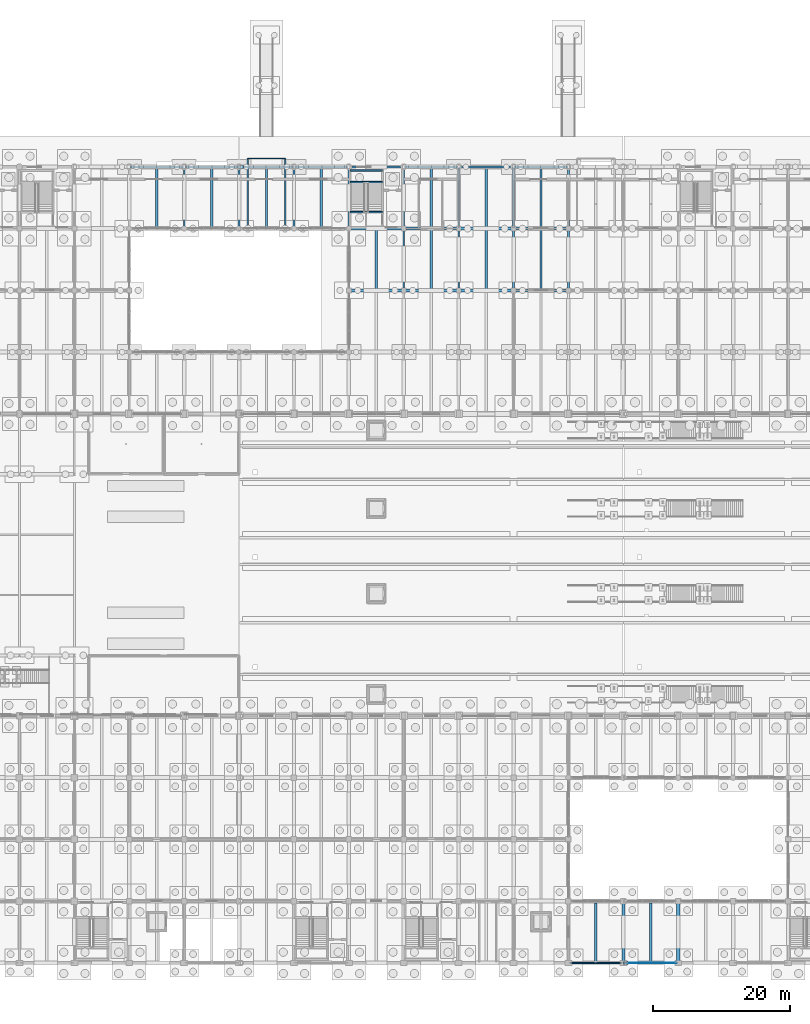
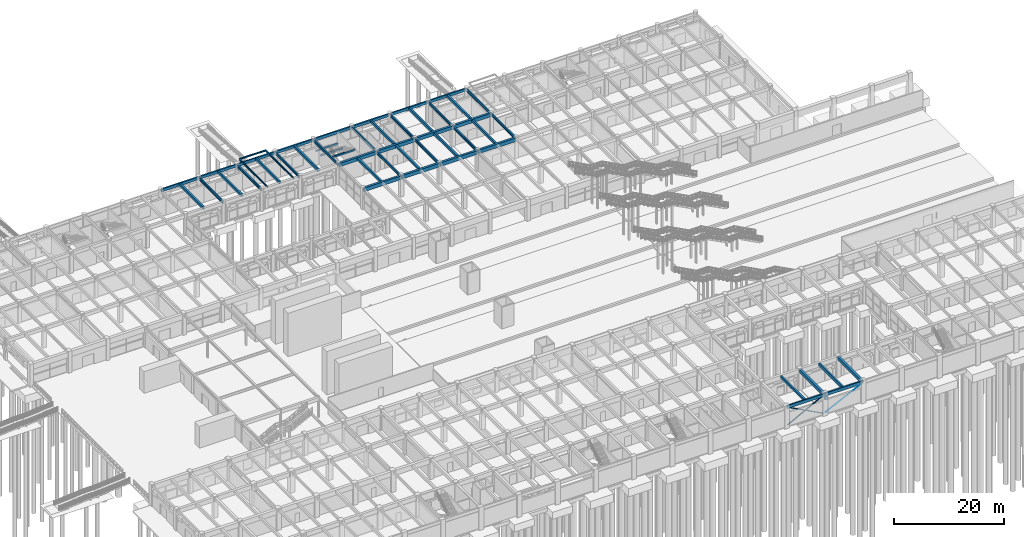
# One storey, part 69 of 147: 53 beams, 4 members.
"""IFC4 building model written with IfcOpenShell, lengths in metres."""

from ifc_helpers import new_model, si_unit, direction, frame, origin, origin_2d, place, context, subcontext, project, spatial, rectangle, circle, hollow_circle, i_section, extrude, material, material_profile, profile_set, type_object, element, save


model = new_model("IFC4")

# Units and contexts
model_context = context("Model", 3, precision=1e-05, world=origin(), true_north=direction((0.0, 1.0)))
body_context = subcontext(model_context, "Body", "Model", "MODEL_VIEW")
ifc_project = project(units=[si_unit("LENGTHUNIT", "METRE"), si_unit("AREAUNIT", "SQUARE_METRE"), si_unit("VOLUMEUNIT", "CUBIC_METRE"), si_unit("PLANEANGLEUNIT", "RADIAN"), si_unit("MASSUNIT", "GRAM", prefix="KILO")], contexts=[model_context])

# Site, building, storey
site_placement = place(None, origin())
site = spatial("IfcSite", under=ifc_project, at=site_placement, CompositionType="ELEMENT")
building_placement = place(site_placement, origin())
building = spatial("IfcBuilding", under=site, at=building_placement, Name="Varnabhumi Central Station", CompositionType="ELEMENT")
storey_placement = place(building_placement, origin())
storey = spatial("IfcBuildingStorey", under=building, at=storey_placement, Name="L00", CompositionType="ELEMENT", Elevation=0.0)

# Beams
ifc_material_1 = material(Name="Structural steel E350", Category="steel")
ifc_material_profile_1 = material_profile(ifc_material_1, i_section(OverallWidth=0.125, OverallDepth=0.25, WebThickness=0.0068359375, FlangeThickness=0.012451171875, FilletRadius=0.012939453125, at=origin_2d()), Name="Structural steel E350", Category="steel")
ifc_profile_set_1 = profile_set([ifc_material_profile_1], Name="Structural steel E350")
beam_type_1 = type_object("IfcBeamType", Name="BM-PUR-ISMB250", PredefinedType="JOIST", material=ifc_profile_set_1)
beam_1_placement = place(storey_placement, frame((65.25, 117.219970703125, 4.425048828125), z_axis=(1.0, 0.0, 0.0), x_axis=(0.0, 1.0, 0.0)))
element("IfcBeam", 1, at=beam_1_placement, inside=storey, type_object=beam_type_1, Name="Spanish Balcony Fascia Beam L01-7", PredefinedType="JOIST", context=body_context, shape_type="SweptSolid", body=[
    extrude(i_section(OverallWidth=0.125, OverallDepth=0.25, WebThickness=0.0068359375, FlangeThickness=0.012451171875, FilletRadius=0.012939453125, at=origin_2d()), origin(), (0.0, 0.0, 1.0), 5.5),
])
ifc_material_2 = material(Name="Concrete M35", Category="concrete")
ifc_material_profile_2 = material_profile(ifc_material_2, rectangle(XDim=0.25, YDim=0.35009765625, at=origin_2d()), Name="Concrete M35", Category="concrete")
ifc_profile_set_2 = profile_set([ifc_material_profile_2], Name="Concrete M35")
beam_type_2 = type_object("IfcBeamType", Name="BM-RC-250x350", PredefinedType="LINTEL", material=ifc_profile_set_2)
for number, where, z_axis, x_axis, name in (
    (2, (80.179931640625, 113.794921875, 2.044921875), (1.0, 0.0, 0.0), (0.0, 1.0, 0.0), "ST-N2 L00 Half Landing Support Beam 1"),
    (3, (80.179931640625, 115.4599609375, 2.044921875), (1.0, 0.0, 0.0), (0.0, 1.0, 0.0), "ST-N2 L00 Half Landing Support Beam 2"),
    (4, (80.179931640625, 109.419921875, 4.375), (1.0, 0.0, 0.0), (0.0, 1.0, 0.0), "ST-N2 L00 Floor Opening Trimmer Beam"),
):
    element("IfcBeam", number, at=place(storey_placement, frame(where, z_axis=z_axis, x_axis=x_axis)), inside=storey, type_object=beam_type_2, Name=name, PredefinedType="LINTEL", context=body_context, shape_type="SweptSolid", body=[
        extrude(rectangle(XDim=0.25, YDim=0.35009765625, at=origin_2d()), origin(), (0.0, 0.0, 1.0), 4.719970703125),
    ])
ifc_material_3 = material(Name="Concrete M40", Category="concrete")
ifc_material_profile_3 = material_profile(ifc_material_3, rectangle(XDim=0.300048828125, YDim=0.60009765625, at=origin_2d()), Name="Concrete M40", Category="concrete")
ifc_profile_set_3 = profile_set([ifc_material_profile_3], Name="Concrete M40")
beam_type_3 = type_object("IfcBeamType", Name="BM-RC-300x600", PredefinedType="SPANDREL", material=ifc_profile_set_3)
for number, where, z_axis, x_axis, name in (
    (5, (48.10009765625, 116.0, 4.25), (1.0, 0.0, 0.0), (0.0, 1.0, 0.0), "Beam L00-P:7-8"),
    (6, (56.10009765625, 116.0, 4.25), (1.0, 0.0, 0.0), (0.0, 1.0, 0.0), "Beam L00-P:8-9"),
    (7, (64.10009765625, 116.0, 4.25), (1.0, 0.0, 0.0), (0.0, 1.0, 0.0), "Beam L00-P:9-10"),
    (8, (72.10009765625, 116.0, 4.25), (1.0, 0.0, 0.0), (0.0, 1.0, 0.0), "Beam L00-P:10-11"),
    (9, (80.10009765625, 116.0, 4.25), (1.0, 0.0, 0.0), (0.0, 1.0, 0.0), "Beam L00-P:11-12"),
    (10, (88.10009765625, 116.0, 4.25), (1.0, 0.0, 0.0), (0.0, 1.0, 0.0), "Beam L00-P:12-13"),
    (11, (96.10009765625, 116.0, 4.25), (1.0, 0.0, 0.0), (0.0, 1.0, 0.0), "Beam L00-P:13-14"),
    (12, (104.10009765625, 116.0, 4.25), (1.0, 0.0, 0.0), (0.0, 1.0, 0.0), "Beam L00-P:14-15"),
):
    element("IfcBeam", number, at=place(storey_placement, frame(where, z_axis=z_axis, x_axis=x_axis)), inside=storey, type_object=beam_type_3, Name=name, PredefinedType="SPANDREL", context=body_context, shape_type="SweptSolid", body=[
        extrude(rectangle(XDim=0.300048828125, YDim=0.60009765625, at=origin_2d()), origin(), (0.0, 0.0, 1.0), 7.7998046875),
    ])
ifc_material_profile_4 = material_profile(ifc_material_3, rectangle(XDim=0.300048828125, YDim=0.64990234375, at=origin_2d()), Name="Concrete M40", Category="concrete")
ifc_profile_set_4 = profile_set([ifc_material_profile_4], Name="Concrete M40")
beam_type_4 = type_object("IfcBeamType", Name="BM-RC-300x650", PredefinedType="SPANDREL", material=ifc_profile_set_4)
for number, where, z_axis, x_axis, name in (
    (13, (112.10009765625, 0.0, 4.22509765625), (1.0, 0.0, 0.0), (0.0, 1.0, 0.0), "Beam L00-A:15-16"),
    (14, (120.10009765625, 0.0, 4.22509765625), (1.0, 0.0, 0.0), (0.0, 1.0, 0.0), "Beam L00-A:16-17"),
):
    element("IfcBeam", number, at=place(storey_placement, frame(where, z_axis=z_axis, x_axis=x_axis)), inside=storey, type_object=beam_type_4, Name=name, PredefinedType="SPANDREL", context=body_context, shape_type="SweptSolid", body=[
        extrude(rectangle(XDim=0.300048828125, YDim=0.64990234375, at=origin_2d()), origin(), (0.0, 0.0, 1.0), 7.7998046875),
    ])
ifc_material_profile_5 = material_profile(ifc_material_3, rectangle(XDim=0.35009765625, YDim=0.5, at=origin_2d()), Name="Concrete M40", Category="concrete")
ifc_profile_set_5 = profile_set([ifc_material_profile_5], Name="Concrete M40")
beam_type_5 = type_object("IfcBeamType", Name="BM-RC-350x500", PredefinedType="JOIST", material=ifc_profile_set_5)
beam_2_placement = place(storey_placement, frame((116.0, 0.14990234375, 4.300048828125), z_axis=(0.0, 1.0, 0.0), x_axis=(-1.0, 0.0, 0.0)))
element("IfcBeam", 15, at=beam_2_placement, inside=storey, type_object=beam_type_5, Name="Secondary Joist L00-15/16:A-B", PredefinedType="JOIST", context=body_context, shape_type="SweptSolid", body=[
    extrude(rectangle(XDim=0.35009765625, YDim=0.5, at=origin_2d()), origin(), (0.0, 0.0, 1.0), 8.60009765625),
])
beam_3_placement = place(storey_placement, frame((92.0, 98.22509765625, 4.300048828125), z_axis=(0.0, 1.0, 0.0), x_axis=(-1.0, 0.0, 0.0)))
element("IfcBeam", 16, at=beam_3_placement, inside=storey, type_object=beam_type_5, Name="Secondary Joist L00-12/13:M-N", PredefinedType="JOIST", context=body_context, shape_type="SweptSolid", body=[
    extrude(rectangle(XDim=0.35009765625, YDim=0.5, at=origin_2d()), origin(), (0.0, 0.0, 1.0), 8.5498046875),
])
for number, where, z_axis, x_axis, name in (
    (17, (68.0, 107.22509765625, 4.300048828125), (0.0, 1.0, 0.0), (-1.0, 0.0, 0.0), "Secondary Joist L00-9/10:N-P"),
    (18, (92.0, 107.22509765625, 4.300048828125), (0.0, 1.0, 0.0), (-1.0, 0.0, 0.0), "Secondary Joist L00-12/13:N-P"),
):
    element("IfcBeam", number, at=place(storey_placement, frame(where, z_axis=z_axis, x_axis=x_axis)), inside=storey, type_object=beam_type_5, Name=name, PredefinedType="JOIST", context=body_context, shape_type="SweptSolid", body=[
        extrude(rectangle(XDim=0.35009765625, YDim=0.5, at=origin_2d()), origin(), (0.0, 0.0, 1.0), 8.625),
    ])
ifc_material_profile_6 = material_profile(ifc_material_3, rectangle(XDim=0.35009765625, YDim=0.550048828125, at=origin_2d()), Name="Concrete M40", Category="concrete")
ifc_profile_set_6 = profile_set([ifc_material_profile_6], Name="Concrete M40")
beam_type_6 = type_object("IfcBeamType", Name="BM-RC-350x550", PredefinedType="JOIST", material=ifc_profile_set_6)
for number, where, z_axis, x_axis, name in (
    (19, (84.0, 98.22509765625, 4.27490234375), (0.0, 1.0, 0.0), (-1.0, 0.0, 0.0), "Secondary Joist L00-11/12:M-N"),
    (20, (108.0, 98.22509765625, 4.27490234375), (0.0, 1.0, 0.0), (-1.0, 0.0, 0.0), "Secondary Joist L00-14/15:M-N"),
):
    element("IfcBeam", number, at=place(storey_placement, frame(where, z_axis=z_axis, x_axis=x_axis)), inside=storey, type_object=beam_type_6, Name=name, PredefinedType="JOIST", context=body_context, shape_type="SweptSolid", body=[
        extrude(rectangle(XDim=0.35009765625, YDim=0.550048828125, at=origin_2d()), origin(), (0.0, 0.0, 1.0), 8.5498046875),
    ])
for number, where, z_axis, x_axis, name in (
    (21, (60.0, 107.22509765625, 4.27490234375), (0.0, 1.0, 0.0), (-1.0, 0.0, 0.0), "Secondary Joist L00-8/9:N-P"),
    (22, (108.0, 107.22509765625, 4.27490234375), (0.0, 1.0, 0.0), (-1.0, 0.0, 0.0), "Secondary Joist L00-14/15:N-P"),
):
    element("IfcBeam", number, at=place(storey_placement, frame(where, z_axis=z_axis, x_axis=x_axis)), inside=storey, type_object=beam_type_6, Name=name, PredefinedType="JOIST", context=body_context, shape_type="SweptSolid", body=[
        extrude(rectangle(XDim=0.35009765625, YDim=0.550048828125, at=origin_2d()), origin(), (0.0, 0.0, 1.0), 8.625),
    ])
ifc_material_profile_7 = material_profile(ifc_material_3, rectangle(XDim=0.449951171875, YDim=0.699951171875, at=origin_2d()), Name="Concrete M40", Category="concrete")
ifc_profile_set_7 = profile_set([ifc_material_profile_7], Name="Concrete M40")
beam_type_7 = type_object("IfcBeamType", Name="BM-RC-450x700", PredefinedType="BEAM", material=ifc_profile_set_7)
for number, where, z_axis, x_axis, name in (
    (23, (120.0, 0.10009765625, 4.199951171875), (0.0, 1.0, 0.0), (-1.0, 0.0, 0.0), "Beam L00-16:A-B"),
    (24, (128.0, 0.10009765625, 4.199951171875), (0.0, 1.0, 0.0), (-1.0, 0.0, 0.0), "Beam L00-17:A-B"),
):
    element("IfcBeam", number, at=place(storey_placement, frame(where, z_axis=z_axis, x_axis=x_axis)), inside=storey, type_object=beam_type_7, Name=name, PredefinedType="BEAM", context=body_context, shape_type="SweptSolid", body=[
        extrude(rectangle(XDim=0.449951171875, YDim=0.699951171875, at=origin_2d()), origin(), (0.0, 0.0, 1.0), 8.7998046875),
    ])
ifc_material_profile_8 = material_profile(ifc_material_3, rectangle(XDim=0.449951171875, YDim=0.75, at=origin_2d()), Name="Concrete M40", Category="concrete")
ifc_profile_set_8 = profile_set([ifc_material_profile_8], Name="Concrete M40")
beam_type_8 = type_object("IfcBeamType", Name="BM-RC-450x750", PredefinedType="BEAM", material=ifc_profile_set_8)
beam_4_placement = place(storey_placement, frame((64.0, 116.0, 3.4951171875), z_axis=(1.0, 0.0, 0.0), x_axis=(0.0, 1.0, 0.0)))
element("IfcBeam", 25, at=beam_4_placement, inside=storey, type_object=beam_type_8, Name="Movement Joint 650mm Corbel Seat L00-P-9", PredefinedType="BEAM", context=body_context, shape_type="SweptSolid", body=[
    extrude(rectangle(XDim=0.449951171875, YDim=0.75, at=origin_2d()), origin(), (0.0, 0.0, 1.0), 0.64990234375),
])
for number, where, z_axis, x_axis, name in (
    (26, (80.10009765625, 107.0, 4.175048828125), (1.0, 0.0, 0.0), (0.0, 1.0, 0.0), "Beam L00-N:11-12"),
    (27, (88.10009765625, 107.0, 4.175048828125), (1.0, 0.0, 0.0), (0.0, 1.0, 0.0), "Beam L00-N:12-13"),
    (28, (96.10009765625, 107.0, 4.175048828125), (1.0, 0.0, 0.0), (0.0, 1.0, 0.0), "Beam L00-N:13-14"),
    (29, (104.10009765625, 107.0, 4.175048828125), (1.0, 0.0, 0.0), (0.0, 1.0, 0.0), "Beam L00-N:14-15"),
):
    element("IfcBeam", number, at=place(storey_placement, frame(where, z_axis=z_axis, x_axis=x_axis)), inside=storey, type_object=beam_type_8, Name=name, PredefinedType="BEAM", context=body_context, shape_type="SweptSolid", body=[
        extrude(rectangle(XDim=0.449951171875, YDim=0.75, at=origin_2d()), origin(), (0.0, 0.0, 1.0), 7.7998046875),
    ])
beam_5_placement = place(storey_placement, frame((120.0, 0.0, 3.445068359375), z_axis=(1.0, 0.0, 0.0), x_axis=(0.0, 1.0, 0.0)))
element("IfcBeam", 30, at=beam_5_placement, inside=storey, type_object=beam_type_8, Name="Movement Joint 650mm Corbel Seat L00-A-16", PredefinedType="BEAM", context=body_context, shape_type="SweptSolid", body=[
    extrude(rectangle(XDim=0.449951171875, YDim=0.75, at=origin_2d()), origin(), (0.0, 0.0, 1.0), 0.64990234375),
])
ifc_material_profile_9 = material_profile(ifc_material_3, rectangle(XDim=0.35009765625, YDim=0.60009765625, at=origin_2d()), Name="Concrete M40", Category="concrete")
ifc_profile_set_9 = profile_set([ifc_material_profile_9], Name="Concrete M40")
beam_type_9 = type_object("IfcBeamType", Name="BM-RC-600x350", PredefinedType="JOIST", material=ifc_profile_set_9)
beam_6_placement = place(storey_placement, frame((124.0, 0.14990234375, 4.25), z_axis=(0.0, 1.0, 0.0), x_axis=(-1.0, 0.0, 0.0)))
element("IfcBeam", 31, at=beam_6_placement, inside=storey, type_object=beam_type_9, Name="Secondary Joist L00-16/17:A-B", PredefinedType="JOIST", context=body_context, shape_type="SweptSolid", body=[
    extrude(rectangle(XDim=0.35009765625, YDim=0.60009765625, at=origin_2d()), origin(), (0.0, 0.0, 1.0), 8.60009765625),
])
beam_7_placement = place(storey_placement, frame((100.0, 98.22509765625, 4.25), z_axis=(0.0, 1.0, 0.0), x_axis=(-1.0, 0.0, 0.0)))
element("IfcBeam", 32, at=beam_7_placement, inside=storey, type_object=beam_type_9, Name="Secondary Joist L00-13/14:M-N", PredefinedType="JOIST", context=body_context, shape_type="SweptSolid", body=[
    extrude(rectangle(XDim=0.35009765625, YDim=0.60009765625, at=origin_2d()), origin(), (0.0, 0.0, 1.0), 8.5498046875),
])
for number, where, z_axis, x_axis, name in (
    (33, (52.0, 107.22509765625, 4.25), (0.0, 1.0, 0.0), (-1.0, 0.0, 0.0), "Secondary Joist L00-7/8:N-P"),
    (34, (76.0, 107.22509765625, 4.25), (0.0, 1.0, 0.0), (-1.0, 0.0, 0.0), "Secondary Joist L00-10/11:N-P"),
    (35, (100.0, 107.22509765625, 4.25), (0.0, 1.0, 0.0), (-1.0, 0.0, 0.0), "Secondary Joist L00-13/14:N-P"),
):
    element("IfcBeam", number, at=place(storey_placement, frame(where, z_axis=z_axis, x_axis=x_axis)), inside=storey, type_object=beam_type_9, Name=name, PredefinedType="JOIST", context=body_context, shape_type="SweptSolid", body=[
        extrude(rectangle(XDim=0.35009765625, YDim=0.60009765625, at=origin_2d()), origin(), (0.0, 0.0, 1.0), 8.625),
    ])
ifc_material_profile_10 = material_profile(ifc_material_3, rectangle(XDim=0.449951171875, YDim=0.800048828125, at=origin_2d()), Name="Concrete M40", Category="concrete")
ifc_profile_set_10 = profile_set([ifc_material_profile_10], Name="Concrete M40")
beam_type_10 = type_object("IfcBeamType", Name="BM-RC-800x450", PredefinedType="BEAM", material=ifc_profile_set_10)
for number, where, z_axis, x_axis, name in (
    (36, (80.10009765625, 98.0, 4.14990234375), (1.0, 0.0, 0.0), (0.0, 1.0, 0.0), "Beam L00-M:11-12"),
    (37, (88.10009765625, 98.0, 4.14990234375), (1.0, 0.0, 0.0), (0.0, 1.0, 0.0), "Beam L00-M:12-13"),
    (38, (96.10009765625, 98.0, 4.14990234375), (1.0, 0.0, 0.0), (0.0, 1.0, 0.0), "Beam L00-M:13-14"),
    (39, (104.10009765625, 98.0, 4.14990234375), (1.0, 0.0, 0.0), (0.0, 1.0, 0.0), "Beam L00-M:14-15"),
):
    element("IfcBeam", number, at=place(storey_placement, frame(where, z_axis=z_axis, x_axis=x_axis)), inside=storey, type_object=beam_type_10, Name=name, PredefinedType="BEAM", context=body_context, shape_type="SweptSolid", body=[
        extrude(rectangle(XDim=0.449951171875, YDim=0.800048828125, at=origin_2d()), origin(), (0.0, 0.0, 1.0), 7.7998046875),
    ])
ifc_material_profile_11 = material_profile(ifc_material_1, i_section(OverallWidth=0.25, OverallDepth=0.60009765625, WebThickness=0.01171875, FlangeThickness=0.023681640625, FilletRadius=0.01708984375, at=origin_2d()), Name="Structural steel E350", Category="steel")
ifc_profile_set_11 = profile_set([ifc_material_profile_11], Name="Structural steel E350")
beam_type_11 = type_object("IfcBeamType", Name="BM-SEC-ISWB600", PredefinedType="BEAM", material=ifc_profile_set_11)
for number, where, z_axis, x_axis, name in (
    (40, (88.0, 98.10009765625, 4.25), (0.0, 1.0, 0.0), (-1.0, 0.0, 0.0), "Beam L00-12:M-N"),
    (41, (96.0, 98.10009765625, 4.25), (0.0, 1.0, 0.0), (-1.0, 0.0, 0.0), "Beam L00-13:M-N"),
    (42, (104.0, 98.10009765625, 4.25), (0.0, 1.0, 0.0), (-1.0, 0.0, 0.0), "Beam L00-14:M-N"),
    (43, (112.0, 98.10009765625, 4.25), (0.0, 1.0, 0.0), (-1.0, 0.0, 0.0), "Beam L00-15:M-N"),
    (44, (56.0, 107.10009765625, 4.25), (0.0, 1.0, 0.0), (-1.0, 0.0, 0.0), "Beam L00-8:N-P"),
    (45, (64.0, 107.10009765625, 4.25), (0.0, 1.0, 0.0), (-1.0, 0.0, 0.0), "Beam L00-9:N-P"),
    (46, (72.0, 107.10009765625, 4.25), (0.0, 1.0, 0.0), (-1.0, 0.0, 0.0), "Beam L00-10:N-P"),
    (47, (80.0, 107.10009765625, 4.25), (0.0, 1.0, 0.0), (-1.0, 0.0, 0.0), "Beam L00-11:N-P"),
    (48, (88.0, 107.10009765625, 4.25), (0.0, 1.0, 0.0), (-1.0, 0.0, 0.0), "Beam L00-12:N-P"),
    (49, (96.0, 107.10009765625, 4.25), (0.0, 1.0, 0.0), (-1.0, 0.0, 0.0), "Beam L00-13:N-P"),
    (50, (104.0, 107.10009765625, 4.25), (0.0, 1.0, 0.0), (-1.0, 0.0, 0.0), "Beam L00-14:N-P"),
    (51, (112.0, 107.10009765625, 4.25), (0.0, 1.0, 0.0), (-1.0, 0.0, 0.0), "Beam L00-15:N-P"),
):
    element("IfcBeam", number, at=place(storey_placement, frame(where, z_axis=z_axis, x_axis=x_axis)), inside=storey, type_object=beam_type_11, Name=name, PredefinedType="BEAM", context=body_context, shape_type="SweptSolid", body=[
        extrude(i_section(OverallWidth=0.25, OverallDepth=0.60009765625, WebThickness=0.01171875, FlangeThickness=0.023681640625, FilletRadius=0.01708984375, at=origin_2d()), origin(), (0.0, 0.0, 1.0), 8.7998046875),
    ])
ifc_material_profile_12 = material_profile(ifc_material_1, i_section(OverallWidth=0.199951171875, OverallDepth=0.35009765625, WebThickness=0.008056640625, FlangeThickness=0.011474609375, FilletRadius=0.011962890625, at=origin_2d()), Name="Structural steel E350", Category="steel")
ifc_profile_set_12 = profile_set([ifc_material_profile_12], Name="Structural steel E350")
beam_type_12 = type_object("IfcBeamType", Name="BM-STL-ISWB350", PredefinedType="JOIST", material=ifc_profile_set_12)
for number, where, z_axis, x_axis, name in (
    (52, (65.25, 107.0, 4.375), (0.0, 1.0, 0.0), (-1.0, 0.0, 0.0), "Spanish Balcony Cantilever Outrigger L01-7-1"),
    (53, (70.75, 107.0, 4.375), (0.0, 1.0, 0.0), (-1.0, 0.0, 0.0), "Spanish Balcony Cantilever Outrigger L01-7-2"),
):
    element("IfcBeam", number, at=place(storey_placement, frame(where, z_axis=z_axis, x_axis=x_axis)), inside=storey, type_object=beam_type_12, Name=name, PredefinedType="JOIST", context=body_context, shape_type="SweptSolid", body=[
        extrude(i_section(OverallWidth=0.199951171875, OverallDepth=0.35009765625, WebThickness=0.008056640625, FlangeThickness=0.011474609375, FilletRadius=0.011962890625, at=origin_2d()), origin(), (0.0, 0.0, 1.0), 10.25),
    ])

# Members
ifc_material_profile_13 = material_profile(ifc_material_1, hollow_circle(Radius=0.109619140625, WallThickness=0.010009765625, at=origin_2d()), Name="Structural steel E350", Category="steel")
ifc_profile_set_13 = profile_set([ifc_material_profile_13], Name="Structural steel E350")
member_type_1 = type_object("IfcMemberType", Name="MBR-BRACE-CHS219", PredefinedType="BRACE", material=ifc_profile_set_13)
for number, where, z_axis, x_axis, name in (
    (54, (112.320068359375, 0.0, 4.10009765625), (0.883593583311, 0.0, -0.468254609729), (0.0, 1.0, 0.0), "Spine Lateral Split Brace L00-A:15-16B1"),
    (55, (116.141357421875, 0.0, 2.0751953125), (0.883593583311, 0.0, -0.468254609729), (0.0, 1.0, 0.0), "Spine Lateral Split Brace L00-A:15-16B2"),
):
    element("IfcMember", number, at=place(storey_placement, frame(where, z_axis=z_axis, x_axis=x_axis)), inside=storey, type_object=member_type_1, Name=name, PredefinedType="BRACE", context=body_context, shape_type="SweptSolid", body=[
        extrude(hollow_circle(Radius=0.109619140625, WallThickness=0.010009765625, at=origin_2d()), origin(), (0.0, 0.0, 1.0), 4.004638671875),
    ])
ifc_material_profile_14 = material_profile(ifc_material_1, hollow_circle(Radius=0.136474609375, WallThickness=0.011962890625, at=origin_2d()), Name="Structural steel E350", Category="steel")
ifc_profile_set_14 = profile_set([ifc_material_profile_14], Name="Structural steel E350")
member_type_2 = type_object("IfcMemberType", Name="MBR-BRACE-CHS273", PredefinedType="BRACE", material=ifc_profile_set_14)
member_1_placement = place(storey_placement, frame((112.320068359375, 0.0, 0.199951171875), z_axis=(0.88360176282, 0.0, 0.468239174718), x_axis=(0.0, 1.0, 0.0)))
element("IfcMember", 56, at=member_1_placement, inside=storey, type_object=member_type_2, Name="Spine Lateral Continuous Brace L00-A:15-16A", PredefinedType="BRACE", context=body_context, shape_type="SweptSolid", body=[
    extrude(hollow_circle(Radius=0.136474609375, WallThickness=0.011962890625, at=origin_2d()), origin(), (0.0, 0.0, 1.0), 8.329345703125),
])
ifc_material_4 = material(Name="Spiral-strand steel S1570", Category="steel")
ifc_material_profile_15 = material_profile(ifc_material_4, circle(Radius=0.02392578125, at=origin_2d()), Name="Spiral-strand steel S1570", Category="steel")
ifc_profile_set_15 = profile_set([ifc_material_profile_15], Name="Spiral-strand steel S1570")
member_type_3 = type_object("IfcMemberType", Name="MBR-CABLE-D48", PredefinedType="USERDEFINED", material=ifc_profile_set_15)
member_2_placement = place(storey_placement, frame((120.320068359375, 0.0, 0.25), z_axis=(0.895884545566, 0.0, 0.444286935455), x_axis=(0.0, 1.0, 0.0)))
element("IfcMember", 57, at=member_2_placement, inside=storey, type_object=member_type_3, Name="Lateral Frame Brace WB-13", ObjectType="TENSION CABLE", PredefinedType="USERDEFINED", context=body_context, shape_type="SweptSolid", body=[
    extrude(circle(Radius=0.02392578125, at=origin_2d()), origin(), (0.0, 0.0, 1.0), 8.215087890625),
])

save(model, "model.ifc")
